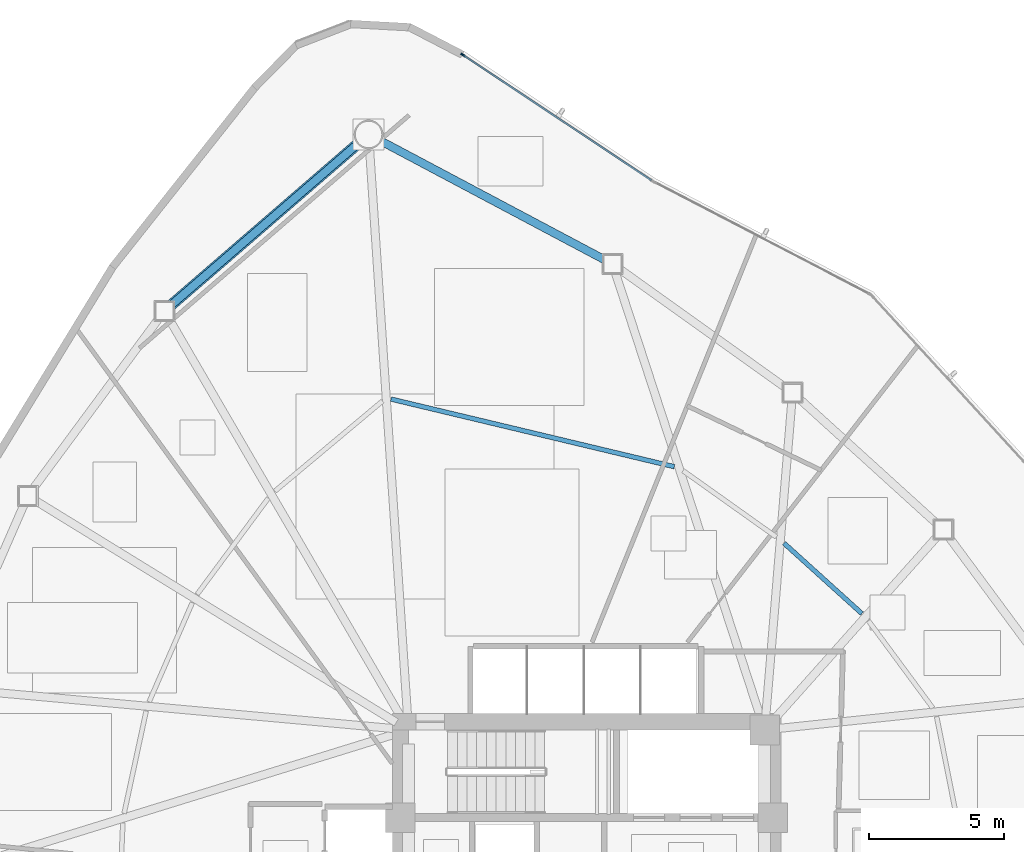
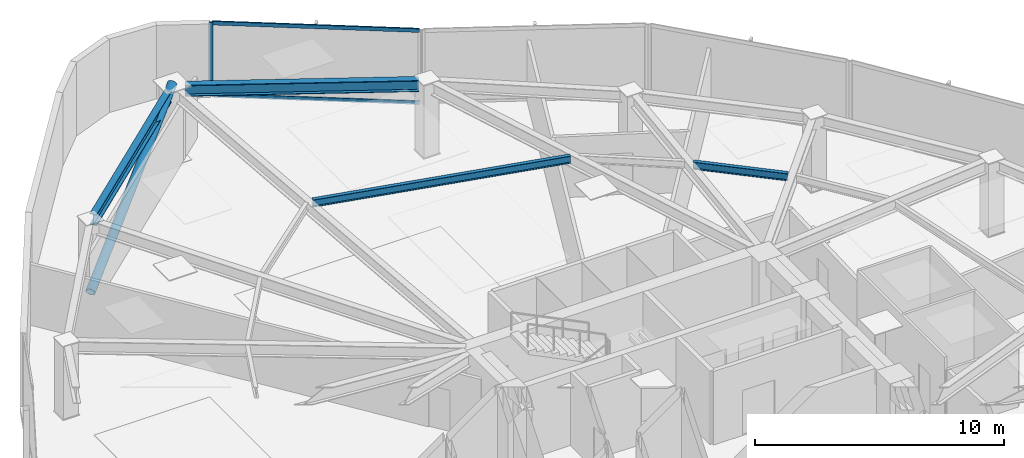
# One storey, part 9 of 18: 4 beams, 4 members, 1 element without a shape of its own.
"""IFC4 building model written with IfcOpenShell, lengths in metres."""

from ifc_helpers import new_model, si_unit, direction, frame, origin, origin_2d, place, context, subcontext, project, spatial, hollow_rectangle, hollow_circle, i_section, extrude, source, transform, mapped, material, layer, layer_set, material_profile, profile_set, type_object, type_shapes, element, aggregate, save


model = new_model("IFC4")

# Units and contexts
model_context = context("Model", 3, precision=1e-05, world=origin(), true_north=direction((0.0, 1.0)))
body_context = subcontext(model_context, "Body", "Model", "MODEL_VIEW")
ifc_project = project(units=[si_unit("LENGTHUNIT", "METRE"), si_unit("AREAUNIT", "SQUARE_METRE"), si_unit("VOLUMEUNIT", "CUBIC_METRE"), si_unit("PLANEANGLEUNIT", "RADIAN"), si_unit("MASSUNIT", "GRAM", prefix="KILO")], contexts=[model_context])

# Site, building, storey
site_placement = place(None, origin())
site = spatial("IfcSite", under=ifc_project, at=site_placement, CompositionType="ELEMENT")
building_placement = place(site_placement, origin())
building = spatial("IfcBuilding", under=site, at=building_placement, Name="Tavelor Broadcast Tower", CompositionType="ELEMENT")
storey_placement = place(building_placement, frame((0.0, 0.0, 62.699951171875)))
storey = spatial("IfcBuildingStorey", under=building, at=storey_placement, Name="L14", CompositionType="ELEMENT", Elevation=62.699951171875)

# Beams
ifc_material_1 = material(Name="Steel S355", Category="steel")
ifc_material_profile_1 = material_profile(ifc_material_1, i_section(OverallWidth=0.169921875, OverallDepth=0.360107421875, WebThickness=0.008056640625, FlangeThickness=0.0126953125, at=origin_2d()), Name="IPE 360")
ifc_profile_set_1 = profile_set([ifc_material_profile_1], Name="Steel S355")
beam_type_1 = type_object("IfcBeamType", Name="Composite Floor Joist T2 IPE 360", PredefinedType="JOIST", material=ifc_profile_set_1)
beam_1_placement = place(storey_placement, frame((60.20458984375, 55.51171875, 3.420166015625), z_axis=(-0.741870075826, 0.670543653011, 0.0), x_axis=(-0.670543653011, -0.741870075826, 0.0)))
element("IfcBeam", 1, at=beam_1_placement, inside=storey, type_object=beam_type_1, Name="L14 Secondary Composite Floor Joist 16", PredefinedType="JOIST", context=body_context, shape_type="SweptSolid", body=[
    extrude(i_section(OverallWidth=0.169921875, OverallDepth=0.360107421875, WebThickness=0.008056640625, FlangeThickness=0.0126953125, at=origin_2d()), origin(), (0.0, 0.0, 1.0), 3.891845703125),
])
beam_2_placement = place(storey_placement, frame((53.252685546875, 60.954345703125, 3.420166015625), z_axis=(-0.97267356202, 0.232176962139, 0.0), x_axis=(-0.232176962139, -0.97267356202, 0.0)))
element("IfcBeam", 2, at=beam_2_placement, inside=storey, type_object=beam_type_1, Name="L14 Secondary Composite Floor Joist 18", PredefinedType="JOIST", context=body_context, shape_type="SweptSolid", body=[
    extrude(i_section(OverallWidth=0.169921875, OverallDepth=0.360107421875, WebThickness=0.008056640625, FlangeThickness=0.0126953125, at=origin_2d()), origin(), (0.0, 0.0, 1.0), 10.794921875),
])
ifc_material_profile_2 = material_profile(ifc_material_1, i_section(OverallWidth=0.300048828125, OverallDepth=0.550048828125, WebThickness=0.014892578125, FlangeThickness=0.029052734375, at=origin_2d()), Name="HEB 550")
ifc_profile_set_2 = profile_set([ifc_material_profile_2], Name="Steel S355")
beam_type_2 = type_object("IfcBeamType", Name="Perimeter Spandrel Beam T2 HEB 550", PredefinedType="SPANDREL", material=ifc_profile_set_2)
beam_3_placement = place(storey_placement, frame((41.535400390625, 72.931396484375, 3.324951171875), z_axis=(-0.756652037371, -0.653817783746, 0.0), x_axis=(0.653817783746, -0.756652037371, 0.0)))
element("IfcBeam", 3, at=beam_3_placement, inside=storey, type_object=beam_type_2, Name="L14 Framed-Tube Ring Spandrel 01", PredefinedType="SPANDREL", context=body_context, shape_type="SweptSolid", body=[
    extrude(i_section(OverallWidth=0.300048828125, OverallDepth=0.550048828125, WebThickness=0.014892578125, FlangeThickness=0.029052734375, at=origin_2d()), origin(), (0.0, 0.0, 1.0), 9.15234375),
])
beam_4_placement = place(storey_placement, frame((50.6650390625, 68.626220703125, 3.324951171875), z_axis=(-0.883288784051, 0.468829312192, 0.0), x_axis=(-0.468829312192, -0.883288784051, 0.0)))
element("IfcBeam", 4, at=beam_4_placement, inside=storey, type_object=beam_type_2, Name="L14 Framed-Tube Ring Spandrel 18", PredefinedType="SPANDREL", context=body_context, shape_type="SweptSolid", body=[
    extrude(i_section(OverallWidth=0.300048828125, OverallDepth=0.550048828125, WebThickness=0.014892578125, FlangeThickness=0.029052734375, at=origin_2d()), origin(), (0.0, 0.0, 1.0), 9.384765625),
])

# Member
ifc_material_profile_3 = material_profile(ifc_material_1, hollow_circle(Radius=0.203125, WallThickness=0.02001953125, at=origin_2d()), Name="CHS 406.4x20")
ifc_profile_set_3 = profile_set([ifc_material_profile_3], Name="Steel S355")
member_type_1 = type_object("IfcMemberType", Name="Perimeter Tube Brace T2 CHS 406.4x20", PredefinedType="BRACE", material=ifc_profile_set_3)
member_1_placement = place(storey_placement, frame((34.356201171875, 66.727783203125, 0.0), z_axis=(0.711923189295, 0.615174771108, 0.338711342497), x_axis=(-0.653821967179, 0.756648422475, 0.0)))
element("IfcMember", 5, at=member_1_placement, inside=storey, type_object=member_type_1, Name="L14 Corner Tube Diagonal Brace 1", PredefinedType="BRACE", context=body_context, shape_type="SweptSolid", body=[
    extrude(hollow_circle(Radius=0.203125, WallThickness=0.02001953125, at=origin_2d()), origin(), (0.0, 0.0, 1.0), 10.62890625),
])

# Curtain wall, members
ifc_material_2 = material(Name="Architectural Anodized Aluminium", Category="aluminium")
ifc_layer = layer(ifc_material_2, 0.179931640625)
ifc_layer_set = layer_set([ifc_layer], Name="Architectural Anodized Aluminium")
curtain_wall_type = type_object("IfcCurtainWallType", Name="Tower Low-Zone Unitised Curtain Wall CW02", PredefinedType="NOTDEFINED", material=ifc_layer_set)
curtain_wall_placement = place(storey_placement, origin())
curtain_wall = element("IfcCurtainWall", 6, at=curtain_wall_placement, inside=storey, type_object=curtain_wall_type, Name="L14 Curtain Wall CW02 Run 132", PredefinedType="NOTDEFINED")
ifc_material_profile_4 = material_profile(ifc_material_2, hollow_rectangle(XDim=0.06494140625, YDim=0.179931640625, WallThickness=0.02197265625, at=origin_2d()), Name="RHS 65x180x22")
ifc_profile_set_4 = profile_set([ifc_material_profile_4], Name="Architectural Anodized Aluminium")
member_type_2 = type_object("IfcMemberType", Name="CW02 Extruded Aluminium Mullion 65x180", PredefinedType="MULLION", material=ifc_profile_set_4)
shared_shape_1 = source(origin(), body_context, "Body", "SweptSolid", [
    extrude(hollow_rectangle(XDim=0.06494140625, YDim=0.179931640625, WallThickness=0.02197265625, at=origin_2d()), origin(), (0.0, 0.0, 1.0), 3.60009765625),
])
type_shapes(member_type_2, [shared_shape_1])
member_2_placement = place(storey_placement, frame((45.4189453125, 76.21337890625, 0.0), z_axis=(0.0, 0.0, 1.0), x_axis=(-0.553734249118, -0.832693449808, 0.0)))
member_2 = element("IfcMember", 7, at=member_2_placement, type_object=member_type_2, Name="CW02 mullion 2", PredefinedType="MULLION", context=body_context, shape_type="MappedRepresentation", body=[
    mapped(shared_shape_1, transform((0.0, 0.0, 0.0), scale=1.0)),
])
ifc_material_profile_5 = material_profile(ifc_material_2, hollow_rectangle(XDim=0.06494140625, YDim=0.179931640625, WallThickness=0.02197265625, at=origin_2d()), Name="RHS 65x180x22")
ifc_profile_set_5 = profile_set([ifc_material_profile_5], Name="Architectural Anodized Aluminium")
member_type_3 = type_object("IfcMemberType", Name="CW02 Extruded Aluminium Transom 65x180", PredefinedType="USERDEFINED", material=ifc_profile_set_5)
shared_shape_2 = source(origin(), body_context, "Body", "SweptSolid", [
    extrude(hollow_rectangle(XDim=0.06494140625, YDim=0.179931640625, WallThickness=0.02197265625, at=origin_2d()), origin(), (0.0, 0.0, 1.0), 8.354248046875),
])
type_shapes(member_type_3, [shared_shape_2])
member_3_placement = place(storey_placement, frame((52.402587890625, 71.5693359375, 0.032470703125), z_axis=(-0.832697142666, 0.553728695839, 0.0), x_axis=(-0.553728695839, -0.832697142666, 0.0)))
member_3 = element("IfcMember", 8, at=member_3_placement, type_object=member_type_3, Name="CW02 transom 1.1", ObjectType="TRANSOM", PredefinedType="USERDEFINED", context=body_context, shape_type="MappedRepresentation", body=[
    mapped(shared_shape_2, transform((0.0, 0.0, 0.0), scale=1.0)),
])
member_4_placement = place(storey_placement, frame((52.402587890625, 71.5693359375, 3.567626953125), z_axis=(-0.832697142666, 0.553728695839, 0.0), x_axis=(-0.553728695839, -0.832697142666, 0.0)))
member_4 = element("IfcMember", 9, at=member_4_placement, type_object=member_type_3, Name="CW02 transom 1.2", ObjectType="TRANSOM", PredefinedType="USERDEFINED", context=body_context, shape_type="MappedRepresentation", body=[
    mapped(shared_shape_2, transform((0.0, 0.0, 0.0), scale=1.0)),
])
aggregate(curtain_wall, [member_2, member_3, member_4])

save(model, "model.ifc")
